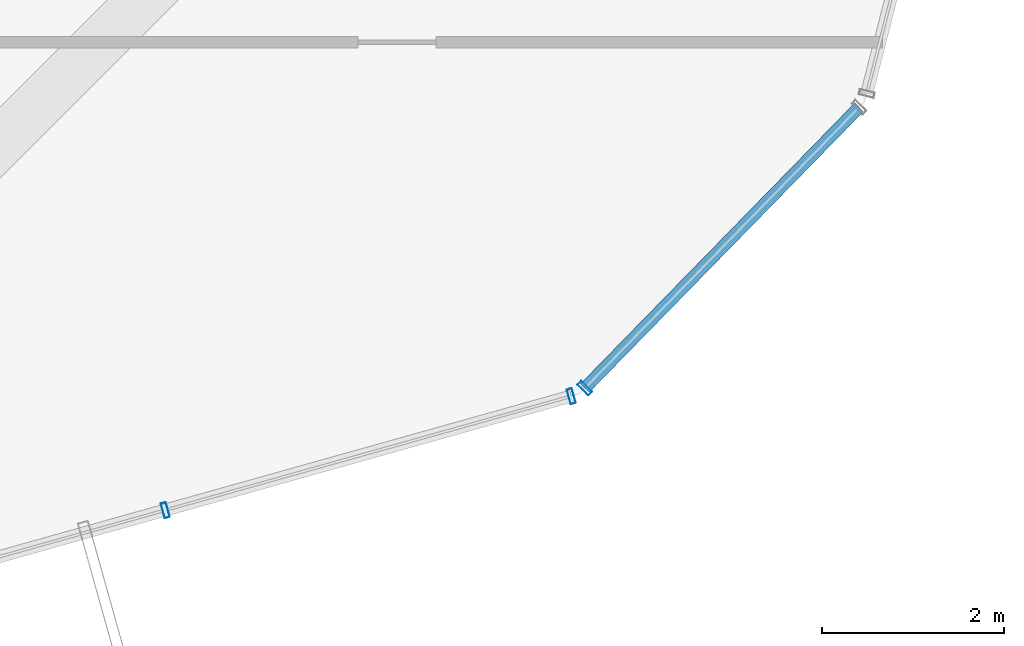
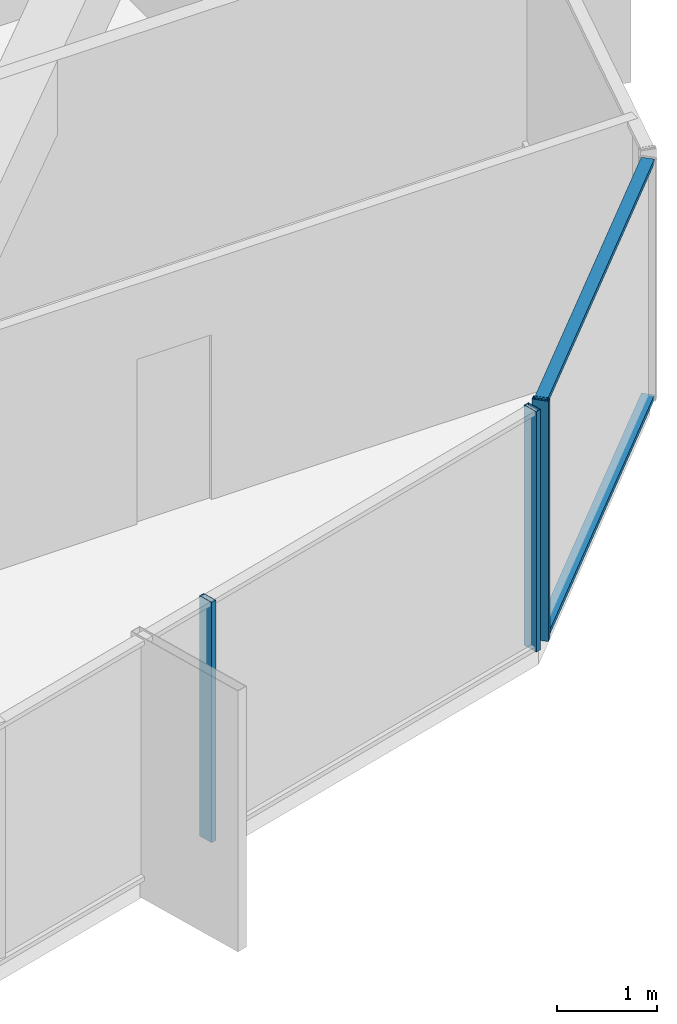
# One storey, part 13 of 39: 5 members, 2 elements without a shape of their own.
"""IFC4 building model written with IfcOpenShell, lengths in metres."""

from ifc_helpers import new_model, si_unit, direction, frame, origin, origin_2d, place, context, subcontext, project, spatial, hollow_rectangle, extrude, source, transform, mapped, material, layer, layer_set, material_profile, profile_set, type_object, element, aggregate, save


model = new_model("IFC4")

# Units and contexts
model_context = context("Model", 3, precision=1e-05, world=origin(), true_north=direction((0.0, 1.0)))
body_context = subcontext(model_context, "Body", "Model", "MODEL_VIEW")
ifc_project = project(units=[si_unit("LENGTHUNIT", "METRE"), si_unit("AREAUNIT", "SQUARE_METRE"), si_unit("VOLUMEUNIT", "CUBIC_METRE"), si_unit("PLANEANGLEUNIT", "RADIAN"), si_unit("MASSUNIT", "GRAM", prefix="KILO")], contexts=[model_context])

# Site, building, storey
site_placement = place(None, origin())
site = spatial("IfcSite", under=ifc_project, at=site_placement, CompositionType="ELEMENT")
building_placement = place(site_placement, origin())
building = spatial("IfcBuilding", under=site, at=building_placement, Name="Veraguas Prism Commons", CompositionType="ELEMENT")
storey_placement = place(building_placement, frame((0.0, 0.0, 77.10009765625)))
storey = spatial("IfcBuildingStorey", under=building, at=storey_placement, Name="L21", CompositionType="ELEMENT", Elevation=77.10009765625)

# Curtain wall, members
ifc_material = material(Name="Anodised aluminium EN AW-6063 T6", Category="aluminium")
ifc_layer = layer(ifc_material, 0.169921875, Name="Unitised Flush Curtain Wall Zone 1", Category="aluminium")
ifc_layer_set = layer_set([ifc_layer], Name="Anodised aluminium EN AW-6063 T6")
curtain_wall_type = type_object("IfcCurtainWallType", Name="Unitised Flush Curtain Wall Zone 1", PredefinedType="NOTDEFINED", material=ifc_layer_set)
curtain_wall_1_placement = place(storey_placement, origin())
curtain_wall_1 = element("IfcCurtainWall", 1, at=curtain_wall_1_placement, inside=storey, type_object=curtain_wall_type, Name="Chamfer Curtain Wall L21-C6", PredefinedType="NOTDEFINED")
ifc_material_profile_1 = material_profile(ifc_material, hollow_rectangle(XDim=0.054931640625, YDim=0.135009765625, WallThickness=0.0029296875, at=origin_2d()), Name="AL55X135X3")
ifc_profile_set_1 = profile_set([ifc_material_profile_1], Name="Anodised aluminium EN AW-6063 T6")
member_type_1 = type_object("IfcMemberType", Name="Curtain Wall Transom Standard AL 55x135x3", PredefinedType="USERDEFINED", material=ifc_profile_set_1)
shared_shape_1 = source(origin(), body_context, "Body", "SweptSolid", [
    extrude(hollow_rectangle(XDim=0.054931640625, YDim=0.135009765625, WallThickness=0.0029296875, at=origin_2d()), origin(), (0.0, 0.0, 1.0), 4.320068359375),
])
member_1_placement = place(storey_placement, frame((38.732177734375, 6.59423828125, 0.02734375), z_axis=(0.698664863419, 0.71544909576, 0.0), x_axis=(0.0, 0.0, 1.0)))
member_1 = element("IfcMember", 2, at=member_1_placement, type_object=member_type_1, Name="CW-Z1 Transom 1", ObjectType="TRANSOM", PredefinedType="USERDEFINED", context=body_context, shape_type="MappedRepresentation", body=[
    mapped(shared_shape_1, transform((0.0, 0.0, 0.0), scale=1.0)),
])
member_2_placement = place(storey_placement, frame((38.732177734375, 6.59423828125, 2.90234375), z_axis=(0.698664863419, 0.71544909576, 0.0), x_axis=(0.0, 0.0, 1.0)))
member_2 = element("IfcMember", 3, at=member_2_placement, type_object=member_type_1, Name="CW-Z1 Transom 2", ObjectType="TRANSOM", PredefinedType="USERDEFINED", context=body_context, shape_type="MappedRepresentation", body=[
    mapped(shared_shape_1, transform((0.0, 0.0, 0.0), scale=1.0)),
])

curtain_wall_2_placement = place(storey_placement, origin())
curtain_wall_2 = element("IfcCurtainWall", 4, at=curtain_wall_2_placement, inside=storey, type_object=curtain_wall_type, Name="Tower Facade Curtain Wall L21-F5", PredefinedType="NOTDEFINED")
ifc_material_profile_2 = material_profile(ifc_material, hollow_rectangle(XDim=0.06005859375, YDim=0.169921875, WallThickness=0.00390625, at=origin_2d()), Name="AL60X170X4")
ifc_profile_set_2 = profile_set([ifc_material_profile_2], Name="Anodised aluminium EN AW-6063 T6")
member_type_2 = type_object("IfcMemberType", Name="Curtain Wall Mullion Lower AL 60x170x4", PredefinedType="MULLION", material=ifc_profile_set_2)
shared_shape_2 = source(origin(), body_context, "Body", "SweptSolid", [
    extrude(hollow_rectangle(XDim=0.06005859375, YDim=0.169921875, WallThickness=0.00390625, at=origin_2d()), origin(), (0.0, 0.0, 1.0), 2.929931640625),
])
member_3_placement = place(storey_placement, frame((34.114501953125, 5.251220703125, 0.0), z_axis=(0.0, 0.0, 1.0), x_axis=(0.962785673447, 0.270266067062, 0.0)))
member_3 = element("IfcMember", 5, at=member_3_placement, type_object=member_type_2, Name="CW-Z1 Mullion 4", PredefinedType="MULLION", context=body_context, shape_type="MappedRepresentation", body=[
    mapped(shared_shape_2, transform((0.0, 0.0, 0.0), scale=1.0)),
])
member_4_placement = place(storey_placement, frame((38.582763671875, 6.505615234375, 0.0), z_axis=(0.0, 0.0, 1.0), x_axis=(0.962785673447, 0.270266067062, 0.0)))
member_4 = element("IfcMember", 6, at=member_4_placement, type_object=member_type_2, Name="CW-Z1 Mullion 5", PredefinedType="MULLION", context=body_context, shape_type="MappedRepresentation", body=[
    mapped(shared_shape_2, transform((0.0, 0.0, 0.0), scale=1.0)),
])
aggregate(curtain_wall_2, [member_3, member_4])

# Member
member_5_placement = place(storey_placement, frame((38.732177734375, 6.59423828125, 0.0), z_axis=(0.0, 0.0, 1.0), x_axis=(0.698666315462, 0.715447677779, 0.0)))
member_5 = element("IfcMember", 7, at=member_5_placement, type_object=member_type_2, Name="CW-Z1 Mullion 1", PredefinedType="MULLION", context=body_context, shape_type="MappedRepresentation", body=[
    mapped(shared_shape_2, transform((0.0, 0.0, 0.0), scale=1.0)),
])

aggregate(curtain_wall_1, [member_5, member_1, member_2])

save(model, "model.ifc")
